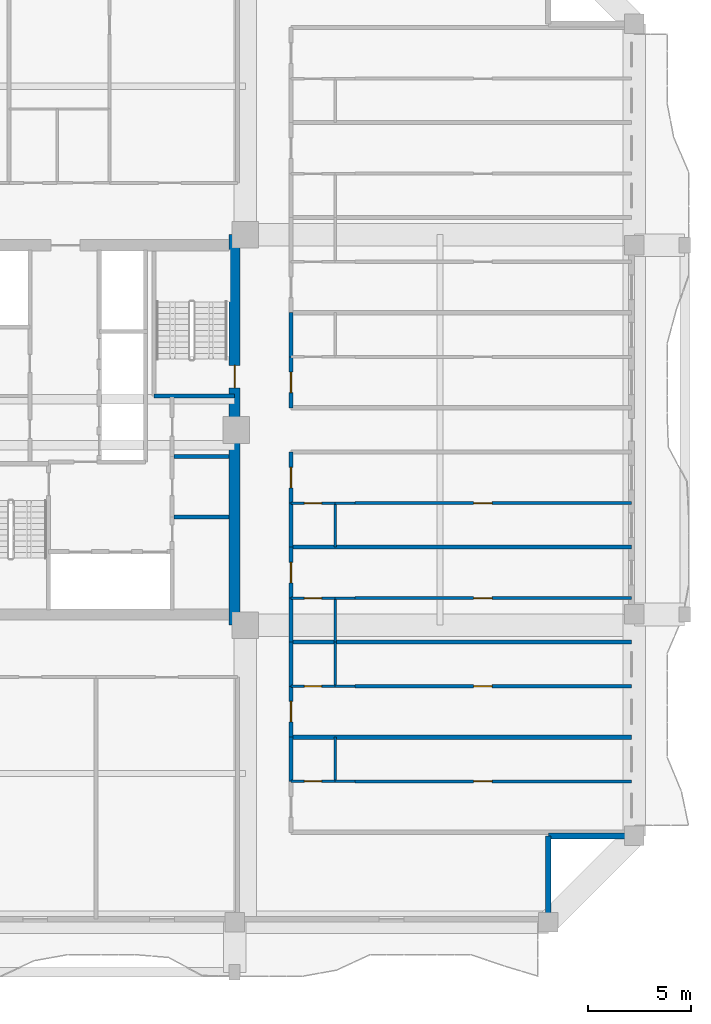
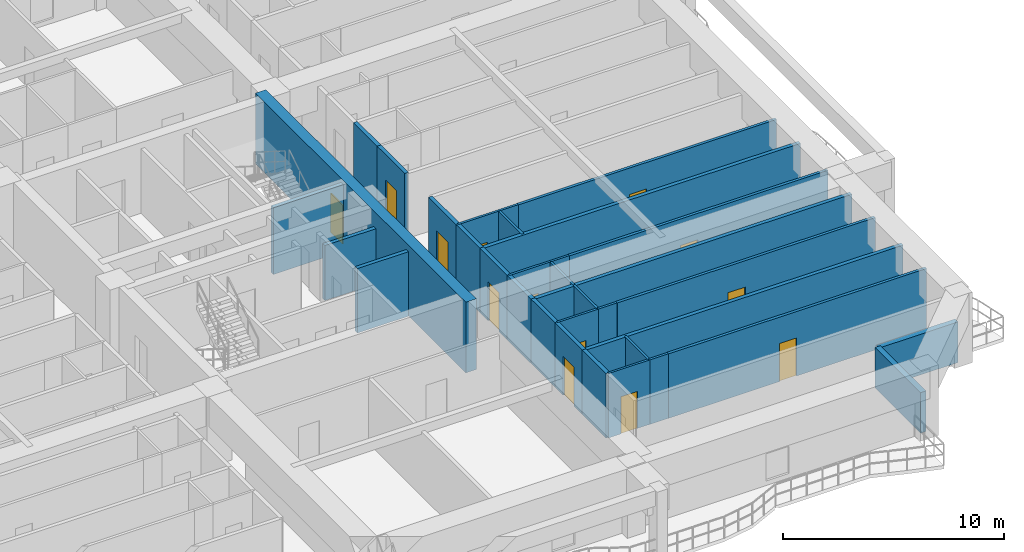
# One storey, part 5 of 13: 34 walls, 13 doors, 13 openings.
"""IFC4 building model written with IfcOpenShell, lengths in metres."""

from ifc_helpers import new_model, si_unit, direction, frame, frame_2d, origin, place, context, subcontext, project, spatial, rectangle, extrude, source, transform, mapped, material, layer, layer_set, type_object, element, fill, save


model = new_model("IFC4")

# Units and contexts
model_context = context("Model", 3, precision=1e-05, world=origin(), true_north=direction((0.0, 1.0)))
body_context = subcontext(model_context, "Body", "Model", "MODEL_VIEW")
ifc_project = project(units=[si_unit("LENGTHUNIT", "METRE"), si_unit("AREAUNIT", "SQUARE_METRE"), si_unit("VOLUMEUNIT", "CUBIC_METRE"), si_unit("PLANEANGLEUNIT", "RADIAN"), si_unit("MASSUNIT", "GRAM", prefix="KILO")], contexts=[model_context])

# Site, building, storey
site_placement = place(None, origin())
site = spatial("IfcSite", under=ifc_project, at=site_placement, CompositionType="ELEMENT")
building_placement = place(site_placement, origin())
building = spatial("IfcBuilding", under=site, at=building_placement, Name="Saelheon Loggia Tower", CompositionType="ELEMENT")
storey_placement = place(building_placement, frame((0.0, 0.0, 122.85009765625)))
storey = spatial("IfcBuildingStorey", under=building, at=storey_placement, Name="L39", CompositionType="ELEMENT", Elevation=122.85009765625)

# Wall, opening, door
ifc_material_1 = material(Name="Concrete C50/60", Category="concrete")
ifc_layer_1 = layer(ifc_material_1, 0.550048828125)
ifc_layer_set_1 = layer_set([ifc_layer_1], Name="Concrete C50/60")
wall_type_1 = type_object("IfcWallType", Name="Wall_CoreShear_550", PredefinedType="SHEAR", material=ifc_layer_set_1)
wall_1_placement = place(storey_placement, frame((44.5, 17.47998046875, 0.0), z_axis=(0.0, 0.0, 1.0), x_axis=(0.0, 1.0, 0.0)))
wall_1 = element("IfcWall", 1, at=wall_1_placement, inside=storey, type_object=wall_type_1, Name="L39 Core Shear Wall East", PredefinedType="SHEAR", context=body_context, shape_type="SweptSolid", body=[
    extrude(rectangle(XDim=19.0400390625, YDim=0.550048828125, at=frame_2d((9.52001953125, 0.0))), origin(), (0.0, 0.0, 1.0), 3.89990234375),
])
opening_1_placement = place(wall_1_placement, frame((12.670166015625, 0.0, 0.0), z_axis=(0.0, 0.0, 1.0), x_axis=(-1.0, 0.0, 0.0)))
opening_1 = element("IfcOpeningElement", 2, at=opening_1_placement, cuts=wall_1, Name="Opening D-FD2", PredefinedType="OPENING", context=body_context, shape_type="SweptSolid", body=[
    extrude(rectangle(XDim=1.10009765625, YDim=2.14990234375, at=frame_2d((0.550048828125, 1.074951171875))), frame((0.0, 0.287109375, 0.0), z_axis=(0.0, -1.0, 0.0), x_axis=(1.0, 0.0, 0.0)), (0.0, 0.0, 1.0), 0.573974609375),
])
ifc_material_2 = material(Name="Galvanised Steel Fire Door", Category="steel")
door_type_1 = type_object("IfcDoorType", Name="Door_Fire_FD60_1100", OperationType="NOTDEFINED", PredefinedType="DOOR", material=ifc_material_2)
shared_shape_1 = source(origin(), body_context, "Body", "SweptSolid", [
    extrude(rectangle(XDim=1.10009765625, YDim=2.14990234375, at=frame_2d((0.550048828125, 1.074951171875))), frame((0.0, 0.02490234375, 0.0), z_axis=(0.0, -1.0, 0.0), x_axis=(1.0, 0.0, 0.0)), (0.0, 0.0, 1.0), 0.050048828125),
])
door_1_placement = place(opening_1_placement, origin())
door_1 = element("IfcDoor", 3, at=door_1_placement, inside=storey, type_object=door_type_1, Name="L39 Stair ST2 Corridor Door", OperationType="SINGLE_SWING_RIGHT", OverallHeight=2.14990234375, OverallWidth=1.10009765625, PredefinedType="DOOR", context=body_context, shape_type="MappedRepresentation", body=[
    mapped(shared_shape_1, transform((0.0, 0.0, 0.0), scale=1.0)),
])
fill(opening_1, door_1)

# Walls
ifc_material_3 = material(Name="Architectural Precast Concrete C40/50", Category="concrete")
ifc_layer_2 = layer(ifc_material_3, 0.280029296875)
ifc_layer_set_2 = layer_set([ifc_layer_2], Name="Architectural Precast Concrete C40/50")
wall_type_2 = type_object("IfcWallType", Name="Wall_Ext_Loggia_280", PredefinedType="SOLIDWALL", material=ifc_layer_set_2)
for number, where, z_axis, x_axis, name in (
    (4, (59.800048828125, 3.080078125, 0.0), (0.0, 0.0, 1.0), (0.0, 1.0, 0.0), "L39 Corner Notch Precast Wall SE1"),
    (5, (59.800048828125, 7.199951171875, 0.0), (0.0, 0.0, 1.0), (1.0, 0.0, 0.0), "L39 Corner Notch Precast Wall SE2"),
):
    element("IfcWall", number, at=place(storey_placement, frame(where, z_axis=z_axis, x_axis=x_axis)), inside=storey, type_object=wall_type_2, Name=name, PredefinedType="SOLIDWALL", context=body_context, shape_type="SweptSolid", body=[
        extrude(rectangle(XDim=4.119873046875, YDim=0.280029296875, at=frame_2d((2.06005859375, 0.0))), origin(), (0.0, 0.0, 1.0), 2.239990234375),
    ])

# Wall, opening, door
ifc_material_4 = material(Name="Lightweight Autoclaved Aerated Concrete Block and Acoustic Gypsum", Category="concrete")
ifc_layer_3 = layer(ifc_material_4, 0.14990234375)
ifc_layer_set_3 = layer_set([ifc_layer_3], Name="Lightweight Autoclaved Aerated Concrete Block and Acoustic Gypsum")
wall_type_3 = type_object("IfcWallType", Name="Wall_Part_150", PredefinedType="PARTITIONING", material=ifc_layer_set_3)
wall_2_placement = place(storey_placement, frame((50.3701171875, 9.864990234375, 0.0), z_axis=(0.0, 0.0, 1.0), x_axis=(1.0, 0.0, 0.0)))
wall_2 = element("IfcWall", 6, at=wall_2_placement, inside=storey, type_object=wall_type_3, Name="L39 ES Partition U08", PredefinedType="PARTITIONING", context=body_context, shape_type="SweptSolid", body=[
    extrude(rectangle(XDim=13.47998046875, YDim=0.14990234375, at=frame_2d((6.739990234375, 0.0))), origin(), (0.0, 0.0, 1.0), 3.559814453125),
])
opening_2_placement = place(wall_2_placement, frame((5.785888671875, 0.0, 0.0)))
opening_2 = element("IfcOpeningElement", 7, at=opening_2_placement, cuts=wall_2, Name="Opening D-IN2", PredefinedType="OPENING", context=body_context, shape_type="SweptSolid", body=[
    extrude(rectangle(XDim=0.89990234375, YDim=2.10009765625, at=frame_2d((0.449951171875, 1.050048828125))), frame((0.0, 0.0869140625, 0.0), z_axis=(0.0, -1.0, 0.0), x_axis=(1.0, 0.0, 0.0)), (0.0, 0.0, 1.0), 0.173828125),
])
ifc_material_5 = material(Name="Engineered Oak Flush Door", Category="timber")
door_type_2 = type_object("IfcDoorType", Name="Door_Int_900", OperationType="NOTDEFINED", PredefinedType="DOOR", material=ifc_material_5)
shared_shape_2 = source(origin(), body_context, "Body", "SweptSolid", [
    extrude(rectangle(XDim=0.89990234375, YDim=2.10009765625, at=frame_2d((0.449951171875, 1.050048828125))), frame((0.0, 0.02490234375, 0.0), z_axis=(0.0, -1.0, 0.0), x_axis=(1.0, 0.0, 0.0)), (0.0, 0.0, 1.0), 0.050048828125),
])
door_2_placement = place(opening_2_placement, origin())
door_2 = element("IfcDoor", 8, at=door_2_placement, inside=storey, type_object=door_type_2, Name="Unit U09 Kitchen Door", OperationType="SINGLE_SWING_RIGHT", OverallHeight=2.10009765625, OverallWidth=0.89990234375, PredefinedType="DOOR", context=body_context, shape_type="MappedRepresentation", body=[
    mapped(shared_shape_2, transform((0.0, 0.0, 0.0), scale=1.0)),
])
fill(opening_2, door_2)

wall_3_placement = place(storey_placement, frame((50.3701171875, 14.5, 0.0), z_axis=(0.0, 0.0, 1.0), x_axis=(1.0, 0.0, 0.0)))
wall_3 = element("IfcWall", 9, at=wall_3_placement, inside=storey, type_object=wall_type_3, Name="L39 ES Partition U15", PredefinedType="PARTITIONING", context=body_context, shape_type="SweptSolid", body=[
    extrude(rectangle(XDim=13.47998046875, YDim=0.14990234375, at=frame_2d((6.739990234375, 0.0))), origin(), (0.0, 0.0, 1.0), 3.559814453125),
])
opening_3_placement = place(wall_3_placement, frame((5.785888671875, 0.0, 0.0)))
opening_3 = element("IfcOpeningElement", 10, at=opening_3_placement, cuts=wall_3, Name="Opening D-IN2", PredefinedType="OPENING", context=body_context, shape_type="SweptSolid", body=[
    extrude(rectangle(XDim=0.89990234375, YDim=2.10009765625, at=frame_2d((0.449951171875, 1.050048828125))), frame((0.0, 0.0869140625, 0.0), z_axis=(0.0, -1.0, 0.0), x_axis=(1.0, 0.0, 0.0)), (0.0, 0.0, 1.0), 0.173828125),
])
door_3_placement = place(opening_3_placement, origin())
door_3 = element("IfcDoor", 11, at=door_3_placement, inside=storey, type_object=door_type_2, Name="Unit U10 Kitchen Door", OperationType="SINGLE_SWING_LEFT", OverallHeight=2.10009765625, OverallWidth=0.89990234375, PredefinedType="DOOR", context=body_context, shape_type="MappedRepresentation", body=[
    mapped(shared_shape_2, transform((0.0, 0.0, 0.0), scale=1.0)),
])
fill(opening_3, door_3)

wall_4_placement = place(storey_placement, frame((50.3701171875, 18.800048828125, 0.0), z_axis=(0.0, 0.0, 1.0), x_axis=(1.0, 0.0, 0.0)))
wall_4 = element("IfcWall", 12, at=wall_4_placement, inside=storey, type_object=wall_type_3, Name="L39 ES Partition U22", PredefinedType="PARTITIONING", context=body_context, shape_type="SweptSolid", body=[
    extrude(rectangle(XDim=13.47998046875, YDim=0.14990234375, at=frame_2d((6.739990234375, 0.0))), origin(), (0.0, 0.0, 1.0), 3.559814453125),
])
opening_4_placement = place(wall_4_placement, frame((5.785888671875, 0.0, 0.0)))
opening_4 = element("IfcOpeningElement", 13, at=opening_4_placement, cuts=wall_4, Name="Opening D-IN2", PredefinedType="OPENING", context=body_context, shape_type="SweptSolid", body=[
    extrude(rectangle(XDim=0.89990234375, YDim=2.10009765625, at=frame_2d((0.449951171875, 1.050048828125))), frame((0.0, 0.0869140625, 0.0), z_axis=(0.0, -1.0, 0.0), x_axis=(1.0, 0.0, 0.0)), (0.0, 0.0, 1.0), 0.173828125),
])
door_4_placement = place(opening_4_placement, origin())
door_4 = element("IfcDoor", 14, at=door_4_placement, inside=storey, type_object=door_type_2, Name="Unit U11 Kitchen Door", OperationType="SINGLE_SWING_RIGHT", OverallHeight=2.10009765625, OverallWidth=0.89990234375, PredefinedType="DOOR", context=body_context, shape_type="MappedRepresentation", body=[
    mapped(shared_shape_2, transform((0.0, 0.0, 0.0), scale=1.0)),
])
fill(opening_4, door_4)

wall_5_placement = place(storey_placement, frame((50.3701171875, 23.43505859375, 0.0), z_axis=(0.0, 0.0, 1.0), x_axis=(1.0, 0.0, 0.0)))
wall_5 = element("IfcWall", 15, at=wall_5_placement, inside=storey, type_object=wall_type_3, Name="L39 ES Partition U29", PredefinedType="PARTITIONING", context=body_context, shape_type="SweptSolid", body=[
    extrude(rectangle(XDim=13.47998046875, YDim=0.14990234375, at=frame_2d((6.739990234375, 0.0))), origin(), (0.0, 0.0, 1.0), 3.559814453125),
])
opening_5_placement = place(wall_5_placement, frame((5.785888671875, 0.0, 0.0)))
opening_5 = element("IfcOpeningElement", 16, at=opening_5_placement, cuts=wall_5, Name="Opening D-IN2", PredefinedType="OPENING", context=body_context, shape_type="SweptSolid", body=[
    extrude(rectangle(XDim=0.89990234375, YDim=2.10009765625, at=frame_2d((0.449951171875, 1.050048828125))), frame((0.0, 0.0869140625, 0.0), z_axis=(0.0, -1.0, 0.0), x_axis=(1.0, 0.0, 0.0)), (0.0, 0.0, 1.0), 0.173828125),
])
door_5_placement = place(opening_5_placement, origin())
door_5 = element("IfcDoor", 17, at=door_5_placement, inside=storey, type_object=door_type_2, Name="Unit U12 Kitchen Door", OperationType="SINGLE_SWING_LEFT", OverallHeight=2.10009765625, OverallWidth=0.89990234375, PredefinedType="DOOR", context=body_context, shape_type="MappedRepresentation", body=[
    mapped(shared_shape_2, transform((0.0, 0.0, 0.0), scale=1.0)),
])
fill(opening_5, door_5)

# Walls
ifc_material_6 = material(Name="Double Acoustic Stud and Fireboard Partition", Category="gypsum")
ifc_layer_4 = layer(ifc_material_6, 0.199951171875)
ifc_layer_set_4 = layer_set([ifc_layer_4], Name="Double Acoustic Stud and Fireboard Partition")
wall_type_4 = type_object("IfcWallType", Name="Wall_Party_200", PredefinedType="PARTITIONING", material=ifc_layer_set_4)
wall_6_placement = place(storey_placement, frame((47.25, 9.864990234375, 0.0), z_axis=(0.0, 0.0, 1.0), x_axis=(0.0, 1.0, 0.0)))
element("IfcWall", 18, at=wall_6_placement, inside=storey, type_object=wall_type_4, Name="L39 ES Partition V04", PredefinedType="PARTITIONING", context=body_context, shape_type="SweptSolid", body=[
    extrude(rectangle(XDim=2.14990234375, YDim=0.199951171875, at=frame_2d((1.074951171875, 0.0))), origin(), (0.0, 0.0, 1.0), 3.559814453125),
])
wall_7_placement = place(storey_placement, frame((47.25, 12.014892578125, 0.0), z_axis=(0.0, 0.0, 1.0), x_axis=(1.0, 0.0, 0.0)))
element("IfcWall", 19, at=wall_7_placement, inside=storey, type_object=wall_type_4, Name="L39 ES Partition U09", PredefinedType="PARTITIONING", context=body_context, shape_type="SweptSolid", body=[
    extrude(rectangle(XDim=16.60009765625, YDim=0.199951171875, at=frame_2d((8.300048828125, 0.0))), origin(), (0.0, 0.0, 1.0), 3.559814453125),
])

# Wall, opening, door
wall_8_placement = place(storey_placement, frame((47.25, 12.014892578125, 0.0), z_axis=(0.0, 0.0, 1.0), x_axis=(0.0, 1.0, 0.0)))
wall_8 = element("IfcWall", 20, at=wall_8_placement, inside=storey, type_object=wall_type_4, Name="L39 ES Partition V10", PredefinedType="PARTITIONING", context=body_context, shape_type="SweptSolid", body=[
    extrude(rectangle(XDim=2.485107421875, YDim=0.199951171875, at=frame_2d((1.24267578125, 0.0))), origin(), (0.0, 0.0, 1.0), 3.559814453125),
])
opening_6_placement = place(wall_8_placement, frame((0.742431640625, 0.0, 0.0)))
opening_6 = element("IfcOpeningElement", 21, at=opening_6_placement, cuts=wall_8, Name="Opening D-FD1", PredefinedType="OPENING", context=body_context, shape_type="SweptSolid", body=[
    extrude(rectangle(XDim=1.0, YDim=2.14990234375, at=frame_2d((0.5, 1.074951171875))), frame((0.0, 0.112060546875, 0.0), z_axis=(0.0, -1.0, 0.0), x_axis=(1.0, 0.0, 0.0)), (0.0, 0.0, 1.0), 0.223876953125),
])
ifc_material_7 = material(Name="Fire-Rated Engineered Timber Entrance Door", Category="wood")
door_type_3 = type_object("IfcDoorType", Name="Door_Flat_FD30S", OperationType="NOTDEFINED", PredefinedType="DOOR", material=ifc_material_7)
shared_shape_3 = source(origin(), body_context, "Body", "SweptSolid", [
    extrude(rectangle(XDim=1.0, YDim=2.14990234375, at=frame_2d((0.5, 1.074951171875))), frame((0.0, 0.02490234375, 0.0), z_axis=(0.0, -1.0, 0.0), x_axis=(1.0, 0.0, 0.0)), (0.0, 0.0, 1.0), 0.050048828125),
])
door_6_placement = place(opening_6_placement, origin())
door_6 = element("IfcDoor", 22, at=door_6_placement, inside=storey, type_object=door_type_3, Name="Unit U10 Entrance Door", OperationType="SINGLE_SWING_LEFT", OverallHeight=2.14990234375, OverallWidth=1.0, PredefinedType="DOOR", context=body_context, shape_type="MappedRepresentation", body=[
    mapped(shared_shape_3, transform((0.0, 0.0, 0.0), scale=1.0)),
])
fill(opening_6, door_6)

# Walls
wall_9_placement = place(storey_placement, frame((47.25, 14.5, 0.0), z_axis=(0.0, 0.0, 1.0), x_axis=(0.0, 1.0, 0.0)))
element("IfcWall", 23, at=wall_9_placement, inside=storey, type_object=wall_type_4, Name="L39 ES Partition V11", PredefinedType="PARTITIONING", context=body_context, shape_type="SweptSolid", body=[
    extrude(rectangle(XDim=2.14990234375, YDim=0.199951171875, at=frame_2d((1.074951171875, 0.0))), origin(), (0.0, 0.0, 1.0), 3.559814453125),
])
wall_10_placement = place(storey_placement, frame((47.25, 16.64990234375, 0.0), z_axis=(0.0, 0.0, 1.0), x_axis=(1.0, 0.0, 0.0)))
element("IfcWall", 24, at=wall_10_placement, inside=storey, type_object=wall_type_4, Name="L39 ES Partition U16", PredefinedType="PARTITIONING", context=body_context, shape_type="SweptSolid", body=[
    extrude(rectangle(XDim=16.60009765625, YDim=0.199951171875, at=frame_2d((8.300048828125, 0.0))), origin(), (0.0, 0.0, 1.0), 3.559814453125),
])
wall_11_placement = place(storey_placement, frame((47.25, 16.64990234375, 0.0), z_axis=(0.0, 0.0, 1.0), x_axis=(0.0, 1.0, 0.0)))
element("IfcWall", 25, at=wall_11_placement, inside=storey, type_object=wall_type_4, Name="L39 ES Partition V17", PredefinedType="PARTITIONING", context=body_context, shape_type="SweptSolid", body=[
    extrude(rectangle(XDim=2.150146484375, YDim=0.199951171875, at=frame_2d((1.0751953125, 0.0))), origin(), (0.0, 0.0, 1.0), 3.559814453125),
])

# Wall, opening, door
wall_12_placement = place(storey_placement, frame((47.25, 18.800048828125, 0.0), z_axis=(0.0, 0.0, 1.0), x_axis=(0.0, 1.0, 0.0)))
wall_12 = element("IfcWall", 26, at=wall_12_placement, inside=storey, type_object=wall_type_4, Name="L39 ES Partition V18", PredefinedType="PARTITIONING", context=body_context, shape_type="SweptSolid", body=[
    extrude(rectangle(XDim=2.48486328125, YDim=0.199951171875, at=frame_2d((1.242431640625, 0.0))), origin(), (0.0, 0.0, 1.0), 3.559814453125),
])
opening_7_placement = place(wall_12_placement, frame((0.742431640625, 0.0, 0.0)))
opening_7 = element("IfcOpeningElement", 27, at=opening_7_placement, cuts=wall_12, Name="Opening D-FD1", PredefinedType="OPENING", context=body_context, shape_type="SweptSolid", body=[
    extrude(rectangle(XDim=1.0, YDim=2.14990234375, at=frame_2d((0.5, 1.074951171875))), frame((0.0, 0.112060546875, 0.0), z_axis=(0.0, -1.0, 0.0), x_axis=(1.0, 0.0, 0.0)), (0.0, 0.0, 1.0), 0.223876953125),
])
door_7_placement = place(opening_7_placement, origin())
door_7 = element("IfcDoor", 28, at=door_7_placement, inside=storey, type_object=door_type_3, Name="Unit U11 Entrance Door", OperationType="SINGLE_SWING_RIGHT", OverallHeight=2.14990234375, OverallWidth=1.0, PredefinedType="DOOR", context=body_context, shape_type="MappedRepresentation", body=[
    mapped(shared_shape_3, transform((0.0, 0.0, 0.0), scale=1.0)),
])
fill(opening_7, door_7)

# Walls
wall_13_placement = place(storey_placement, frame((47.25, 21.284912109375, 0.0), z_axis=(0.0, 0.0, 1.0), x_axis=(1.0, 0.0, 0.0)))
element("IfcWall", 29, at=wall_13_placement, inside=storey, type_object=wall_type_4, Name="L39 ES Partition U23", PredefinedType="PARTITIONING", context=body_context, shape_type="SweptSolid", body=[
    extrude(rectangle(XDim=16.60009765625, YDim=0.199951171875, at=frame_2d((8.300048828125, 0.0))), origin(), (0.0, 0.0, 1.0), 3.559814453125),
])
wall_14_placement = place(storey_placement, frame((47.25, 21.284912109375, 0.0), z_axis=(0.0, 0.0, 1.0), x_axis=(0.0, 1.0, 0.0)))
element("IfcWall", 30, at=wall_14_placement, inside=storey, type_object=wall_type_4, Name="L39 ES Partition V24", PredefinedType="PARTITIONING", context=body_context, shape_type="SweptSolid", body=[
    extrude(rectangle(XDim=2.150146484375, YDim=0.199951171875, at=frame_2d((1.0751953125, 0.0))), origin(), (0.0, 0.0, 1.0), 3.559814453125),
])

# Wall, opening, door
wall_15_placement = place(storey_placement, frame((47.25, 23.43505859375, 0.0), z_axis=(0.0, 0.0, 1.0), x_axis=(0.0, 1.0, 0.0)))
wall_15 = element("IfcWall", 31, at=wall_15_placement, inside=storey, type_object=wall_type_4, Name="L39 ES Partition V25", PredefinedType="PARTITIONING", context=body_context, shape_type="SweptSolid", body=[
    extrude(rectangle(XDim=2.48486328125, YDim=0.199951171875, at=frame_2d((1.242431640625, 0.0))), origin(), (0.0, 0.0, 1.0), 3.559814453125),
])
opening_8_placement = place(wall_15_placement, frame((0.742431640625, 0.0, 0.0)))
opening_8 = element("IfcOpeningElement", 32, at=opening_8_placement, cuts=wall_15, Name="Opening D-FD1", PredefinedType="OPENING", context=body_context, shape_type="SweptSolid", body=[
    extrude(rectangle(XDim=1.0, YDim=2.14990234375, at=frame_2d((0.5, 1.074951171875))), frame((0.0, 0.112060546875, 0.0), z_axis=(0.0, -1.0, 0.0), x_axis=(1.0, 0.0, 0.0)), (0.0, 0.0, 1.0), 0.223876953125),
])
door_8_placement = place(opening_8_placement, origin())
door_8 = element("IfcDoor", 33, at=door_8_placement, inside=storey, type_object=door_type_3, Name="Unit U12 Entrance Door", OperationType="SINGLE_SWING_LEFT", OverallHeight=2.14990234375, OverallWidth=1.0, PredefinedType="DOOR", context=body_context, shape_type="MappedRepresentation", body=[
    mapped(shared_shape_3, transform((0.0, 0.0, 0.0), scale=1.0)),
])
fill(opening_8, door_8)

wall_16_placement = place(storey_placement, frame((47.25, 28.080078125, 0.0), z_axis=(0.0, 0.0, 1.0), x_axis=(0.0, 1.0, 0.0)))
wall_16 = element("IfcWall", 34, at=wall_16_placement, inside=storey, type_object=wall_type_4, Name="L39 EN Partition V03", PredefinedType="PARTITIONING", context=body_context, shape_type="SweptSolid", body=[
    extrude(rectangle(XDim=2.48486328125, YDim=0.199951171875, at=frame_2d((1.242431640625, 0.0))), origin(), (0.0, 0.0, 1.0), 3.559814453125),
])
opening_9_placement = place(wall_16_placement, frame((0.742431640625, 0.0, 0.0)))
opening_9 = element("IfcOpeningElement", 35, at=opening_9_placement, cuts=wall_16, Name="Opening D-FD1", PredefinedType="OPENING", context=body_context, shape_type="SweptSolid", body=[
    extrude(rectangle(XDim=1.0, YDim=2.14990234375, at=frame_2d((0.5, 1.074951171875))), frame((0.0, 0.112060546875, 0.0), z_axis=(0.0, -1.0, 0.0), x_axis=(1.0, 0.0, 0.0)), (0.0, 0.0, 1.0), 0.223876953125),
])
door_9_placement = place(opening_9_placement, origin())
door_9 = element("IfcDoor", 36, at=door_9_placement, inside=storey, type_object=door_type_3, Name="Unit U13 Entrance Door", OperationType="SINGLE_SWING_RIGHT", OverallHeight=2.14990234375, OverallWidth=1.0, PredefinedType="DOOR", context=body_context, shape_type="MappedRepresentation", body=[
    mapped(shared_shape_3, transform((0.0, 0.0, 0.0), scale=1.0)),
])
fill(opening_9, door_9)

# Walls
wall_17_placement = place(storey_placement, frame((47.25, 30.56494140625, 0.0), z_axis=(0.0, 0.0, 1.0), x_axis=(0.0, 1.0, 0.0)))
element("IfcWall", 37, at=wall_17_placement, inside=storey, type_object=wall_type_4, Name="L39 EN Partition V04", PredefinedType="PARTITIONING", context=body_context, shape_type="SweptSolid", body=[
    extrude(rectangle(XDim=2.150146484375, YDim=0.199951171875, at=frame_2d((1.0751953125, 0.0))), origin(), (0.0, 0.0, 1.0), 3.559814453125),
])
ifc_material_8 = material(Name="Concrete C40/50", Category="concrete")
ifc_layer_5 = layer(ifc_material_8, 0.199951171875)
ifc_layer_set_5 = layer_set([ifc_layer_5], Name="Concrete C40/50")
wall_type_5 = type_object("IfcWallType", Name="Wall_Shaft_200", PredefinedType="PARTITIONING", material=ifc_layer_set_5)
wall_18_placement = place(storey_placement, frame((41.550048828125, 22.75, 0.0), z_axis=(0.0, 0.0, 1.0), x_axis=(1.0, 0.0, 0.0)))
element("IfcWall", 38, at=wall_18_placement, inside=storey, type_object=wall_type_5, Name="CW-BOH-L39-H1", PredefinedType="PARTITIONING", context=body_context, shape_type="SweptSolid", body=[
    extrude(rectangle(XDim=2.669921875, YDim=0.199951171875, at=frame_2d((1.3349609375, 0.0))), origin(), (0.0, 0.0, 1.0), 3.559814453125),
])
wall_19_placement = place(storey_placement, frame((41.550048828125, 25.699951171875, 0.0), z_axis=(0.0, 0.0, 1.0), x_axis=(1.0, 0.0, 0.0)))
element("IfcWall", 39, at=wall_19_placement, inside=storey, type_object=wall_type_5, Name="CW-BOH-L39-H2", PredefinedType="PARTITIONING", context=body_context, shape_type="SweptSolid", body=[
    extrude(rectangle(XDim=2.669921875, YDim=0.199951171875, at=frame_2d((1.3349609375, 0.0))), origin(), (0.0, 0.0, 1.0), 3.039794921875),
])
ifc_material_9 = material(Name="Concrete C45/55", Category="concrete")
ifc_layer_6 = layer(ifc_material_9, 0.199951171875)
ifc_layer_set_6 = layer_set([ifc_layer_6], Name="Concrete C45/55")
wall_type_6 = type_object("IfcWallType", Name="Wall_StairShaft_RC200", PredefinedType="SOLIDWALL", material=ifc_layer_set_6)
wall_20_placement = place(storey_placement, frame((40.570068359375, 28.64990234375, 0.0), z_axis=(0.0, 0.0, 1.0), x_axis=(1.0, 0.0, 0.0)))
element("IfcWall", 40, at=wall_20_placement, inside=storey, type_object=wall_type_6, Name="L39 Stair ST2 South Wall", PredefinedType="SOLIDWALL", context=body_context, shape_type="SweptSolid", body=[
    extrude(rectangle(XDim=3.929931640625, YDim=0.199951171875, at=frame_2d((1.96484375, 0.0))), origin(), (0.0, 0.0, 1.0), 3.68994140625),
])

# Wall, opening, door
ifc_material_10 = material(Name="Moisture-Resistant Cement Board Partition", Category="gypsum")
ifc_layer_7 = layer(ifc_material_10, 0.1201171875)
ifc_layer_set_7 = layer_set([ifc_layer_7], Name="Moisture-Resistant Cement Board Partition")
wall_type_7 = type_object("IfcWallType", Name="Wall_WetPart_120", PredefinedType="PARTITIONING", material=ifc_layer_set_7)
wall_21_placement = place(storey_placement, frame((47.25, 9.864990234375, 0.0), z_axis=(0.0, 0.0, 1.0), x_axis=(1.0, 0.0, 0.0)))
wall_21 = element("IfcWall", 41, at=wall_21_placement, inside=storey, type_object=wall_type_7, Name="L39 ES Partition U05", PredefinedType="PARTITIONING", context=body_context, shape_type="SweptSolid", body=[
    extrude(rectangle(XDim=2.14990234375, YDim=0.1201171875, at=frame_2d((1.074951171875, 0.0))), origin(), (0.0, 0.0, 1.0), 3.559814453125),
])
opening_10_placement = place(wall_21_placement, frame((0.64990234375, 0.0, 0.0)))
opening_10 = element("IfcOpeningElement", 42, at=opening_10_placement, cuts=wall_21, Name="Opening D-BT1", PredefinedType="OPENING", context=body_context, shape_type="SweptSolid", body=[
    extrude(rectangle(XDim=0.85009765625, YDim=2.050048828125, at=frame_2d((0.425048828125, 1.02490234375))), frame((0.0, 0.072021484375, 0.0), z_axis=(0.0, -1.0, 0.0), x_axis=(1.0, 0.0, 0.0)), (0.0, 0.0, 1.0), 0.14404296875),
])
ifc_material_11 = material(Name="Moisture-Resistant Laminate Timber Door", Category="wood")
door_type_4 = type_object("IfcDoorType", Name="Door_Bath_850", OperationType="NOTDEFINED", PredefinedType="DOOR", material=ifc_material_11)
shared_shape_4 = source(origin(), body_context, "Body", "SweptSolid", [
    extrude(rectangle(XDim=0.85009765625, YDim=2.050048828125, at=frame_2d((0.425048828125, 1.02490234375))), frame((0.0, 0.02490234375, 0.0), z_axis=(0.0, -1.0, 0.0), x_axis=(1.0, 0.0, 0.0)), (0.0, 0.0, 1.0), 0.050048828125),
])
door_10_placement = place(opening_10_placement, origin())
door_10 = element("IfcDoor", 43, at=door_10_placement, inside=storey, type_object=door_type_4, Name="Unit U09 Bathroom Door", OperationType="SINGLE_SWING_LEFT", OverallHeight=2.050048828125, OverallWidth=0.85009765625, PredefinedType="DOOR", context=body_context, shape_type="MappedRepresentation", body=[
    mapped(shared_shape_4, transform((0.0, 0.0, 0.0), scale=1.0)),
])
fill(opening_10, door_10)

# Walls
wall_22_placement = place(storey_placement, frame((49.39990234375, 9.864990234375, 0.0), z_axis=(0.0, 0.0, 1.0), x_axis=(1.0, 0.0, 0.0)))
element("IfcWall", 44, at=wall_22_placement, inside=storey, type_object=wall_type_7, Name="L39 ES Partition U06", PredefinedType="PARTITIONING", context=body_context, shape_type="SweptSolid", body=[
    extrude(rectangle(XDim=0.97021484375, YDim=0.1201171875, at=frame_2d((0.485107421875, 0.0))), origin(), (0.0, 0.0, 1.0), 3.559814453125),
])
wall_23_placement = place(storey_placement, frame((49.39990234375, 9.864990234375, 0.0), z_axis=(0.0, 0.0, 1.0), x_axis=(0.0, 1.0, 0.0)))
element("IfcWall", 45, at=wall_23_placement, inside=storey, type_object=wall_type_7, Name="L39 ES Partition V07", PredefinedType="PARTITIONING", context=body_context, shape_type="SweptSolid", body=[
    extrude(rectangle(XDim=2.14990234375, YDim=0.1201171875, at=frame_2d((1.074951171875, 0.0))), origin(), (0.0, 0.0, 1.0), 3.559814453125),
])

# Wall, opening, door
wall_24_placement = place(storey_placement, frame((47.25, 14.5, 0.0), z_axis=(0.0, 0.0, 1.0), x_axis=(1.0, 0.0, 0.0)))
wall_24 = element("IfcWall", 46, at=wall_24_placement, inside=storey, type_object=wall_type_7, Name="L39 ES Partition U12", PredefinedType="PARTITIONING", context=body_context, shape_type="SweptSolid", body=[
    extrude(rectangle(XDim=2.14990234375, YDim=0.1201171875, at=frame_2d((1.074951171875, 0.0))), origin(), (0.0, 0.0, 1.0), 3.559814453125),
])
opening_11_placement = place(wall_24_placement, frame((0.64990234375, 0.0, 0.0)))
opening_11 = element("IfcOpeningElement", 47, at=opening_11_placement, cuts=wall_24, Name="Opening D-BT1", PredefinedType="OPENING", context=body_context, shape_type="SweptSolid", body=[
    extrude(rectangle(XDim=0.85009765625, YDim=2.050048828125, at=frame_2d((0.425048828125, 1.02490234375))), frame((0.0, 0.072021484375, 0.0), z_axis=(0.0, -1.0, 0.0), x_axis=(1.0, 0.0, 0.0)), (0.0, 0.0, 1.0), 0.14404296875),
])
door_11_placement = place(opening_11_placement, origin())
door_11 = element("IfcDoor", 48, at=door_11_placement, inside=storey, type_object=door_type_4, Name="Unit U10 Bathroom Door", OperationType="SINGLE_SWING_RIGHT", OverallHeight=2.050048828125, OverallWidth=0.85009765625, PredefinedType="DOOR", context=body_context, shape_type="MappedRepresentation", body=[
    mapped(shared_shape_4, transform((0.0, 0.0, 0.0), scale=1.0)),
])
fill(opening_11, door_11)

# Walls
wall_25_placement = place(storey_placement, frame((49.39990234375, 14.5, 0.0), z_axis=(0.0, 0.0, 1.0), x_axis=(1.0, 0.0, 0.0)))
element("IfcWall", 49, at=wall_25_placement, inside=storey, type_object=wall_type_7, Name="L39 ES Partition U13", PredefinedType="PARTITIONING", context=body_context, shape_type="SweptSolid", body=[
    extrude(rectangle(XDim=0.97021484375, YDim=0.1201171875, at=frame_2d((0.485107421875, 0.0))), origin(), (0.0, 0.0, 1.0), 3.559814453125),
])
wall_26_placement = place(storey_placement, frame((49.39990234375, 14.5, 0.0), z_axis=(0.0, 0.0, 1.0), x_axis=(0.0, 1.0, 0.0)))
element("IfcWall", 50, at=wall_26_placement, inside=storey, type_object=wall_type_7, Name="L39 ES Partition V14", PredefinedType="PARTITIONING", context=body_context, shape_type="SweptSolid", body=[
    extrude(rectangle(XDim=2.14990234375, YDim=0.1201171875, at=frame_2d((1.074951171875, 0.0))), origin(), (0.0, 0.0, 1.0), 3.559814453125),
])

# Wall, opening, door
wall_27_placement = place(storey_placement, frame((47.25, 18.800048828125, 0.0), z_axis=(0.0, 0.0, 1.0), x_axis=(1.0, 0.0, 0.0)))
wall_27 = element("IfcWall", 51, at=wall_27_placement, inside=storey, type_object=wall_type_7, Name="L39 ES Partition U19", PredefinedType="PARTITIONING", context=body_context, shape_type="SweptSolid", body=[
    extrude(rectangle(XDim=2.14990234375, YDim=0.1201171875, at=frame_2d((1.074951171875, 0.0))), origin(), (0.0, 0.0, 1.0), 3.559814453125),
])
opening_12_placement = place(wall_27_placement, frame((0.64990234375, 0.0, 0.0)))
opening_12 = element("IfcOpeningElement", 52, at=opening_12_placement, cuts=wall_27, Name="Opening D-BT1", PredefinedType="OPENING", context=body_context, shape_type="SweptSolid", body=[
    extrude(rectangle(XDim=0.85009765625, YDim=2.050048828125, at=frame_2d((0.425048828125, 1.02490234375))), frame((0.0, 0.072021484375, 0.0), z_axis=(0.0, -1.0, 0.0), x_axis=(1.0, 0.0, 0.0)), (0.0, 0.0, 1.0), 0.14404296875),
])
door_12_placement = place(opening_12_placement, origin())
door_12 = element("IfcDoor", 53, at=door_12_placement, inside=storey, type_object=door_type_4, Name="Unit U11 Bathroom Door", OperationType="SINGLE_SWING_LEFT", OverallHeight=2.050048828125, OverallWidth=0.85009765625, PredefinedType="DOOR", context=body_context, shape_type="MappedRepresentation", body=[
    mapped(shared_shape_4, transform((0.0, 0.0, 0.0), scale=1.0)),
])
fill(opening_12, door_12)

# Walls
wall_28_placement = place(storey_placement, frame((49.39990234375, 18.800048828125, 0.0), z_axis=(0.0, 0.0, 1.0), x_axis=(1.0, 0.0, 0.0)))
element("IfcWall", 54, at=wall_28_placement, inside=storey, type_object=wall_type_7, Name="L39 ES Partition U20", PredefinedType="PARTITIONING", context=body_context, shape_type="SweptSolid", body=[
    extrude(rectangle(XDim=0.97021484375, YDim=0.1201171875, at=frame_2d((0.485107421875, 0.0))), origin(), (0.0, 0.0, 1.0), 3.559814453125),
])
wall_29_placement = place(storey_placement, frame((49.39990234375, 16.64990234375, 0.0), z_axis=(0.0, 0.0, 1.0), x_axis=(0.0, 1.0, 0.0)))
element("IfcWall", 55, at=wall_29_placement, inside=storey, type_object=wall_type_7, Name="L39 ES Partition V21", PredefinedType="PARTITIONING", context=body_context, shape_type="SweptSolid", body=[
    extrude(rectangle(XDim=2.150146484375, YDim=0.1201171875, at=frame_2d((1.0751953125, 0.0))), origin(), (0.0, 0.0, 1.0), 3.559814453125),
])

# Wall, opening, door
wall_30_placement = place(storey_placement, frame((47.25, 23.43505859375, 0.0), z_axis=(0.0, 0.0, 1.0), x_axis=(1.0, 0.0, 0.0)))
wall_30 = element("IfcWall", 56, at=wall_30_placement, inside=storey, type_object=wall_type_7, Name="L39 ES Partition U26", PredefinedType="PARTITIONING", context=body_context, shape_type="SweptSolid", body=[
    extrude(rectangle(XDim=2.14990234375, YDim=0.1201171875, at=frame_2d((1.074951171875, 0.0))), origin(), (0.0, 0.0, 1.0), 3.559814453125),
])
opening_13_placement = place(wall_30_placement, frame((0.64990234375, 0.0, 0.0)))
opening_13 = element("IfcOpeningElement", 57, at=opening_13_placement, cuts=wall_30, Name="Opening D-BT1", PredefinedType="OPENING", context=body_context, shape_type="SweptSolid", body=[
    extrude(rectangle(XDim=0.85009765625, YDim=2.050048828125, at=frame_2d((0.425048828125, 1.02490234375))), frame((0.0, 0.072021484375, 0.0), z_axis=(0.0, -1.0, 0.0), x_axis=(1.0, 0.0, 0.0)), (0.0, 0.0, 1.0), 0.14404296875),
])
door_13_placement = place(opening_13_placement, origin())
door_13 = element("IfcDoor", 58, at=door_13_placement, inside=storey, type_object=door_type_4, Name="Unit U12 Bathroom Door", OperationType="SINGLE_SWING_RIGHT", OverallHeight=2.050048828125, OverallWidth=0.85009765625, PredefinedType="DOOR", context=body_context, shape_type="MappedRepresentation", body=[
    mapped(shared_shape_4, transform((0.0, 0.0, 0.0), scale=1.0)),
])
fill(opening_13, door_13)

# Walls
wall_31_placement = place(storey_placement, frame((49.39990234375, 23.43505859375, 0.0), z_axis=(0.0, 0.0, 1.0), x_axis=(1.0, 0.0, 0.0)))
element("IfcWall", 59, at=wall_31_placement, inside=storey, type_object=wall_type_7, Name="L39 ES Partition U27", PredefinedType="PARTITIONING", context=body_context, shape_type="SweptSolid", body=[
    extrude(rectangle(XDim=0.97021484375, YDim=0.1201171875, at=frame_2d((0.485107421875, 0.0))), origin(), (0.0, 0.0, 1.0), 3.559814453125),
])
wall_32_placement = place(storey_placement, frame((49.39990234375, 21.284912109375, 0.0), z_axis=(0.0, 0.0, 1.0), x_axis=(0.0, 1.0, 0.0)))
element("IfcWall", 60, at=wall_32_placement, inside=storey, type_object=wall_type_7, Name="L39 ES Partition V28", PredefinedType="PARTITIONING", context=body_context, shape_type="SweptSolid", body=[
    extrude(rectangle(XDim=2.150146484375, YDim=0.1201171875, at=frame_2d((1.0751953125, 0.0))), origin(), (0.0, 0.0, 1.0), 3.559814453125),
])

save(model, "model.ifc")
